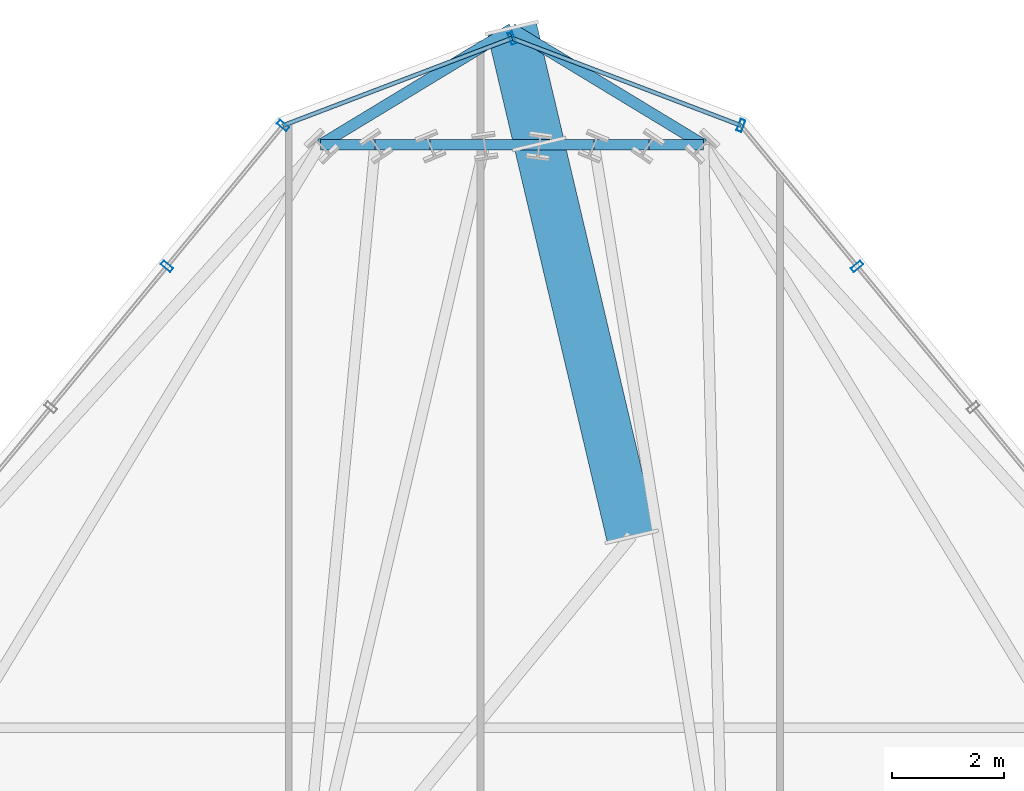
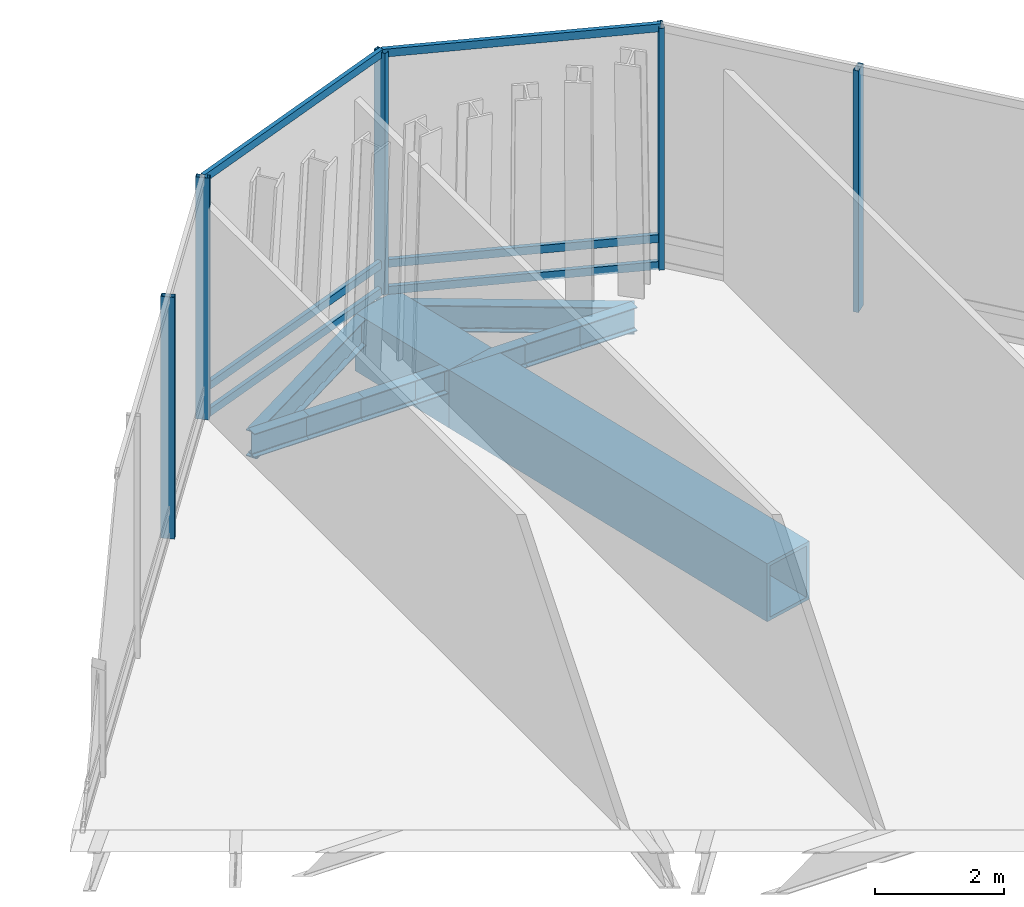
# One storey, part 18 of 28: 11 beams, 11 members, 4 elements without a shape of their own.
"""IFC4 building model written with IfcOpenShell, lengths in metres."""

from ifc_helpers import new_model, si_unit, direction, frame, origin, origin_2d, place, context, subcontext, project, spatial, hollow_rectangle, i_section, extrude, material, layer, layer_set, material_profile, profile_set, type_object, element, aggregate, save


model = new_model("IFC4")

# Units and contexts
model_context = context("Model", 3, precision=1e-05, world=origin(), true_north=direction((0.0, 1.0)))
body_context = subcontext(model_context, "Body", "Model", "MODEL_VIEW")
ifc_project = project(units=[si_unit("LENGTHUNIT", "METRE"), si_unit("AREAUNIT", "SQUARE_METRE"), si_unit("VOLUMEUNIT", "CUBIC_METRE"), si_unit("PLANEANGLEUNIT", "RADIAN"), si_unit("MASSUNIT", "GRAM", prefix="KILO")], contexts=[model_context])

# Site, building, storey
site_placement = place(None, origin())
site = spatial("IfcSite", under=ifc_project, at=site_placement, CompositionType="ELEMENT")
building_placement = place(site_placement, origin())
building = spatial("IfcBuilding", under=site, at=building_placement, Name="Ndaravel Arena Tower", CompositionType="ELEMENT")
storey_placement = place(building_placement, frame((0.0, 0.0, 213.199951171875)))
storey = spatial("IfcBuildingStorey", under=building, at=storey_placement, Name="L51", CompositionType="ELEMENT", Elevation=213.199951171875)

# Beams
ifc_material_1 = material(Name="Steel S355", Category="steel")
ifc_material_profile_1 = material_profile(ifc_material_1, i_section(OverallWidth=0.18994140625, OverallDepth=0.449951171875, WebThickness=0.009521484375, FlangeThickness=0.0146484375, FilletRadius=0.02099609375, at=origin_2d()), Name="IPE 450")
ifc_profile_set_1 = profile_set([ifc_material_profile_1], Name="Steel S355")
beam_type_1 = type_object("IfcBeamType", Name="BM-SPAN-IPE450", PredefinedType="SPANDREL", material=ifc_profile_set_1)
beam_1_placement = place(storey_placement, frame((45.431396484375, 45.44482421875, -0.5048828125), z_axis=(-1.0, 0.0, 0.0), x_axis=(0.0, -1.0, 0.0)))
element("IfcBeam", 1, at=beam_1_placement, inside=storey, type_object=beam_type_1, Name="L51 Perimeter Spandrel Beam SP-11", PredefinedType="SPANDREL", context=body_context, shape_type="SweptSolid", body=[
    extrude(i_section(OverallWidth=0.18994140625, OverallDepth=0.449951171875, WebThickness=0.009521484375, FlangeThickness=0.0146484375, FilletRadius=0.02099609375, at=origin_2d()), origin(), (0.0, 0.0, 1.0), 0.980224609375),
])
for number, where, z_axis, x_axis, name in (
    (2, (44.451171875, 45.44482421875, -0.5048828125), (-1.0, 0.0, 0.0), (0.0, -1.0, 0.0), "L51 Perimeter Spandrel Beam SP-12"),
    (3, (43.470703125, 45.44482421875, -0.5048828125), (-1.0, 0.0, 0.0), (0.0, -1.0, 0.0), "L51 Perimeter Spandrel Beam SP-13"),
    (4, (42.490234375, 45.44482421875, -0.5048828125), (-1.0, 0.0, 0.0), (0.0, -1.0, 0.0), "L51 Perimeter Spandrel Beam SP-14"),
    (5, (41.509765625, 45.44482421875, -0.5048828125), (-1.0, 0.0, 0.0), (0.0, -1.0, 0.0), "L51 Perimeter Spandrel Beam SP-15"),
    (6, (40.529296875, 45.44482421875, -0.5048828125), (-1.0, 0.0, 0.0), (0.0, -1.0, 0.0), "L51 Perimeter Spandrel Beam SP-16"),
):
    element("IfcBeam", number, at=place(storey_placement, frame(where, z_axis=z_axis, x_axis=x_axis)), inside=storey, type_object=beam_type_1, Name=name, PredefinedType="SPANDREL", context=body_context, shape_type="SweptSolid", body=[
        extrude(i_section(OverallWidth=0.18994140625, OverallDepth=0.449951171875, WebThickness=0.009521484375, FlangeThickness=0.0146484375, FilletRadius=0.02099609375, at=origin_2d()), origin(), (0.0, 0.0, 1.0), 0.98046875),
    ])
beam_2_placement = place(storey_placement, frame((39.548828125, 45.44482421875, -0.5048828125), z_axis=(-1.0, 0.0, 0.0), x_axis=(0.0, -1.0, 0.0)))
element("IfcBeam", 7, at=beam_2_placement, inside=storey, type_object=beam_type_1, Name="L51 Perimeter Spandrel Beam SP-17", PredefinedType="SPANDREL", context=body_context, shape_type="SweptSolid", body=[
    extrude(i_section(OverallWidth=0.18994140625, OverallDepth=0.449951171875, WebThickness=0.009521484375, FlangeThickness=0.0146484375, FilletRadius=0.02099609375, at=origin_2d()), origin(), (0.0, 0.0, 1.0), 0.980224609375),
])
ifc_material_2 = material(Name="Steel S355", Category="steel")
ifc_material_profile_2 = material_profile(ifc_material_2, i_section(OverallWidth=0.199951171875, OverallDepth=0.5, WebThickness=0.01025390625, FlangeThickness=0.01611328125, FilletRadius=0.02099609375, at=origin_2d()), Name="IPE 500")
ifc_profile_set_2 = profile_set([ifc_material_profile_2], Name="Steel S355")
beam_type_2 = type_object("IfcBeamType", Name="BM-SPAN-IPE500", PredefinedType="SPANDREL", material=ifc_profile_set_2)
for number, where, z_axis, x_axis, name in (
    (8, (45.431396484375, 45.44482421875, -0.530029296875), (-0.85514879372, 0.518382619886, 0.0), (-0.518382619886, -0.85514879372, 0.0), "L51 Star Facet Edge Beam SEA-5"),
    (9, (42.0, 47.52490234375, -0.530029296875), (-0.85514879372, -0.518382619886, 0.0), (0.518382619886, -0.85514879372, 0.0), "L51 Star Facet Edge Beam SEB-5"),
):
    element("IfcBeam", number, at=place(storey_placement, frame(where, z_axis=z_axis, x_axis=x_axis)), inside=storey, type_object=beam_type_2, Name=name, PredefinedType="SPANDREL", context=body_context, shape_type="SweptSolid", body=[
        extrude(i_section(OverallWidth=0.199951171875, OverallDepth=0.5, WebThickness=0.01025390625, FlangeThickness=0.01611328125, FilletRadius=0.02099609375, at=origin_2d()), origin(), (0.0, 0.0, 1.0), 4.0126953125),
    ])
ifc_material_3 = material(Name="Steel S460", Category="steel")
ifc_material_profile_3 = material_profile(ifc_material_3, hollow_rectangle(XDim=0.89990234375, YDim=1.10009765625, WallThickness=0.06494140625, at=origin_2d()), Name="BOX 1100x900x65")
ifc_profile_set_3 = profile_set([ifc_material_profile_3], Name="Steel S460")
beam_type_3 = type_object("IfcBeamType", Name="BM-STAR-BOX1100", PredefinedType="BEAM", material=ifc_profile_set_3)
beam_3_placement = place(storey_placement, frame((44.141845703125, 38.436767578125, -0.829833984375), z_axis=(-0.229388962505, 0.973334836467, 0.0), x_axis=(-0.973334836467, -0.229388962505, 0.0)))
element("IfcBeam", 10, at=beam_3_placement, inside=storey, type_object=beam_type_3, Name="L51 Star Cantilever Backspan Girder SBG-5", PredefinedType="BEAM", context=body_context, shape_type="SweptSolid", body=[
    extrude(hollow_rectangle(XDim=0.89990234375, YDim=1.10009765625, WallThickness=0.06494140625, at=origin_2d()), origin(), (0.0, 0.0, 1.0), 7.199951171875),
])
beam_4_placement = place(storey_placement, frame((42.490234375, 45.44482421875, -0.829833984375), z_axis=(-0.229395900059, 0.973333201445, 0.0), x_axis=(-0.973333201445, -0.229395900059, 0.0)))
element("IfcBeam", 11, at=beam_4_placement, inside=storey, type_object=beam_type_3, Name="L51 Star Cantilever Tip Girder SCG-5", PredefinedType="BEAM", context=body_context, shape_type="SweptSolid", body=[
    extrude(hollow_rectangle(XDim=0.89990234375, YDim=1.10009765625, WallThickness=0.06494140625, at=origin_2d()), origin(), (0.0, 0.0, 1.0), 2.136962890625),
])

# Curtain wall, member
ifc_material_4 = material(Name="Aluminium", Category="aluminium")
ifc_layer = layer(ifc_material_4, 0.179931640625)
ifc_layer_set = layer_set([ifc_layer], Name="Aluminium")
curtain_wall_type = type_object("IfcCurtainWallType", Name="CW-SYS-04", PredefinedType="NOTDEFINED", material=ifc_layer_set)
curtain_wall_1_placement = place(storey_placement, origin())
curtain_wall_1 = element("IfcCurtainWall", 12, at=curtain_wall_1_placement, inside=storey, type_object=curtain_wall_type, Name="L51 Faceted Crystal Curtain Wall CW-L51-E07", PredefinedType="NOTDEFINED")
ifc_material_5 = material(Name="Aluminium", Category="aluminium")
ifc_material_profile_4 = material_profile(ifc_material_5, hollow_rectangle(XDim=0.090087890625, YDim=0.219970703125, WallThickness=0.0048828125, at=origin_2d()), Name="CW MULLION 90x220x5")
ifc_profile_set_4 = profile_set([ifc_material_profile_4], Name="Aluminium")
member_type_1 = type_object("IfcMemberType", Name="MEM-CW-MUL220", PredefinedType="MULLION", material=ifc_profile_set_4)
member_1_placement = place(storey_placement, frame((48.18310546875, 43.265869140625, 0.0), z_axis=(0.0, 0.0, 1.0), x_axis=(-0.636024349169, 0.771668988144, 0.0)))
member_1 = element("IfcMember", 13, at=member_1_placement, type_object=member_type_1, Name="CW-L51-E07 Mullion 05", PredefinedType="MULLION", context=body_context, shape_type="SweptSolid", body=[
    extrude(hollow_rectangle(XDim=0.090087890625, YDim=0.219970703125, WallThickness=0.0048828125, at=origin_2d()), origin(), (0.0, 0.0, 1.0), 4.580078125),
])
aggregate(curtain_wall_1, [member_1])

curtain_wall_2_placement = place(storey_placement, origin())
curtain_wall_2 = element("IfcCurtainWall", 14, at=curtain_wall_2_placement, inside=storey, type_object=curtain_wall_type, Name="L51 Faceted Crystal Curtain Wall CW-L51-E08", PredefinedType="NOTDEFINED")
member_2_placement = place(storey_placement, frame((46.102294921875, 45.790283203125, 0.0), z_axis=(0.0, 0.0, 1.0), x_axis=(-0.934453296747, 0.356085714679, 0.0)))
member_2 = element("IfcMember", 15, at=member_2_placement, type_object=member_type_1, Name="CW-L51-E08 Mullion 00", PredefinedType="MULLION", context=body_context, shape_type="SweptSolid", body=[
    extrude(hollow_rectangle(XDim=0.090087890625, YDim=0.219970703125, WallThickness=0.0048828125, at=origin_2d()), origin(), (0.0, 0.0, 1.0), 4.580078125),
])

curtain_wall_3_placement = place(storey_placement, origin())
curtain_wall_3 = element("IfcCurtainWall", 16, at=curtain_wall_3_placement, inside=storey, type_object=curtain_wall_type, Name="L51 Faceted Crystal Curtain Wall CW-L51-E09", PredefinedType="NOTDEFINED")
member_3_placement = place(storey_placement, frame((42.0, 47.353515625, 0.0), z_axis=(0.0, 0.0, 1.0), x_axis=(-0.934453296747, -0.356085714679, 0.0)))
member_3 = element("IfcMember", 17, at=member_3_placement, type_object=member_type_1, Name="CW-L51-E09 Mullion 00", PredefinedType="MULLION", context=body_context, shape_type="SweptSolid", body=[
    extrude(hollow_rectangle(XDim=0.090087890625, YDim=0.219970703125, WallThickness=0.0048828125, at=origin_2d()), origin(), (0.0, 0.0, 1.0), 4.580078125),
])

# Curtain wall, members
curtain_wall_4_placement = place(storey_placement, origin())
curtain_wall_4 = element("IfcCurtainWall", 18, at=curtain_wall_4_placement, inside=storey, type_object=curtain_wall_type, Name="L51 Faceted Crystal Curtain Wall CW-L51-E10", PredefinedType="NOTDEFINED")
member_4_placement = place(storey_placement, frame((37.897705078125, 45.790283203125, 0.0), z_axis=(0.0, 0.0, 1.0), x_axis=(-0.636024349169, -0.771668988144, 0.0)))
member_4 = element("IfcMember", 19, at=member_4_placement, type_object=member_type_1, Name="CW-L51-E10 Mullion 00", PredefinedType="MULLION", context=body_context, shape_type="SweptSolid", body=[
    extrude(hollow_rectangle(XDim=0.090087890625, YDim=0.219970703125, WallThickness=0.0048828125, at=origin_2d()), origin(), (0.0, 0.0, 1.0), 4.580078125),
])
member_5_placement = place(storey_placement, frame((35.81689453125, 43.265869140625, 0.0), z_axis=(0.0, 0.0, 1.0), x_axis=(-0.636024349169, -0.771668988144, 0.0)))
member_5 = element("IfcMember", 20, at=member_5_placement, type_object=member_type_1, Name="CW-L51-E10 Mullion 01", PredefinedType="MULLION", context=body_context, shape_type="SweptSolid", body=[
    extrude(hollow_rectangle(XDim=0.090087890625, YDim=0.219970703125, WallThickness=0.0048828125, at=origin_2d()), origin(), (0.0, 0.0, 1.0), 4.580078125),
])
aggregate(curtain_wall_4, [member_4, member_5])

# Member
ifc_material_6 = material(Name="Aluminium", Category="aluminium")
ifc_material_profile_5 = material_profile(ifc_material_6, hollow_rectangle(XDim=0.074951171875, YDim=0.14990234375, WallThickness=0.00390625, at=origin_2d()), Name="CW TRANSOM 75x150x4")
ifc_profile_set_5 = profile_set([ifc_material_profile_5], Name="Aluminium")
member_type_2 = type_object("IfcMemberType", Name="MEM-CW-TRN150", PredefinedType="USERDEFINED", material=ifc_profile_set_5)
member_6_placement = place(storey_placement, frame((46.102294921875, 45.790283203125, 0.0400390625), z_axis=(-0.93445337209, 0.356085516961, 0.0), x_axis=(-0.356085516961, -0.93445337209, 0.0)))
member_6 = element("IfcMember", 21, at=member_6_placement, type_object=member_type_2, Name="CW-L51-E08 Transom 01", ObjectType="TRANSOM", PredefinedType="USERDEFINED", context=body_context, shape_type="SweptSolid", body=[
    extrude(hollow_rectangle(XDim=0.074951171875, YDim=0.14990234375, WallThickness=0.00390625, at=origin_2d()), origin(), (0.0, 0.0, 1.0), 4.39013671875),
])

member_7_placement = place(storey_placement, frame((46.102294921875, 45.790283203125, 0.550048828125), z_axis=(-0.93445337209, 0.356085516961, 0.0), x_axis=(-0.356085516961, -0.93445337209, 0.0)))
member_7 = element("IfcMember", 22, at=member_7_placement, type_object=member_type_2, Name="CW-L51-E08 Transom 02", ObjectType="TRANSOM", PredefinedType="USERDEFINED", context=body_context, shape_type="SweptSolid", body=[
    extrude(hollow_rectangle(XDim=0.074951171875, YDim=0.14990234375, WallThickness=0.00390625, at=origin_2d()), origin(), (0.0, 0.0, 1.0), 4.39013671875),
])

member_8_placement = place(storey_placement, frame((46.102294921875, 45.790283203125, 4.5400390625), z_axis=(-0.93445337209, 0.356085516961, 0.0), x_axis=(-0.356085516961, -0.93445337209, 0.0)))
member_8 = element("IfcMember", 23, at=member_8_placement, type_object=member_type_2, Name="CW-L51-E08 Transom 03", ObjectType="TRANSOM", PredefinedType="USERDEFINED", context=body_context, shape_type="SweptSolid", body=[
    extrude(hollow_rectangle(XDim=0.074951171875, YDim=0.14990234375, WallThickness=0.00390625, at=origin_2d()), origin(), (0.0, 0.0, 1.0), 4.39013671875),
])

aggregate(curtain_wall_2, [member_2, member_6, member_7, member_8])

member_9_placement = place(storey_placement, frame((42.0, 47.353515625, 0.0400390625), z_axis=(-0.93445337209, -0.356085516961, 0.0), x_axis=(0.356085516961, -0.93445337209, 0.0)))
member_9 = element("IfcMember", 24, at=member_9_placement, type_object=member_type_2, Name="CW-L51-E09 Transom 01", ObjectType="TRANSOM", PredefinedType="USERDEFINED", context=body_context, shape_type="SweptSolid", body=[
    extrude(hollow_rectangle(XDim=0.074951171875, YDim=0.14990234375, WallThickness=0.00390625, at=origin_2d()), origin(), (0.0, 0.0, 1.0), 4.39013671875),
])

member_10_placement = place(storey_placement, frame((42.0, 47.353515625, 0.550048828125), z_axis=(-0.93445337209, -0.356085516961, 0.0), x_axis=(0.356085516961, -0.93445337209, 0.0)))
member_10 = element("IfcMember", 25, at=member_10_placement, type_object=member_type_2, Name="CW-L51-E09 Transom 02", ObjectType="TRANSOM", PredefinedType="USERDEFINED", context=body_context, shape_type="SweptSolid", body=[
    extrude(hollow_rectangle(XDim=0.074951171875, YDim=0.14990234375, WallThickness=0.00390625, at=origin_2d()), origin(), (0.0, 0.0, 1.0), 4.39013671875),
])

member_11_placement = place(storey_placement, frame((42.0, 47.353515625, 4.5400390625), z_axis=(-0.93445337209, -0.356085516961, 0.0), x_axis=(0.356085516961, -0.93445337209, 0.0)))
member_11 = element("IfcMember", 26, at=member_11_placement, type_object=member_type_2, Name="CW-L51-E09 Transom 03", ObjectType="TRANSOM", PredefinedType="USERDEFINED", context=body_context, shape_type="SweptSolid", body=[
    extrude(hollow_rectangle(XDim=0.074951171875, YDim=0.14990234375, WallThickness=0.00390625, at=origin_2d()), origin(), (0.0, 0.0, 1.0), 4.39013671875),
])

aggregate(curtain_wall_3, [member_3, member_9, member_10, member_11])

save(model, "model.ifc")
